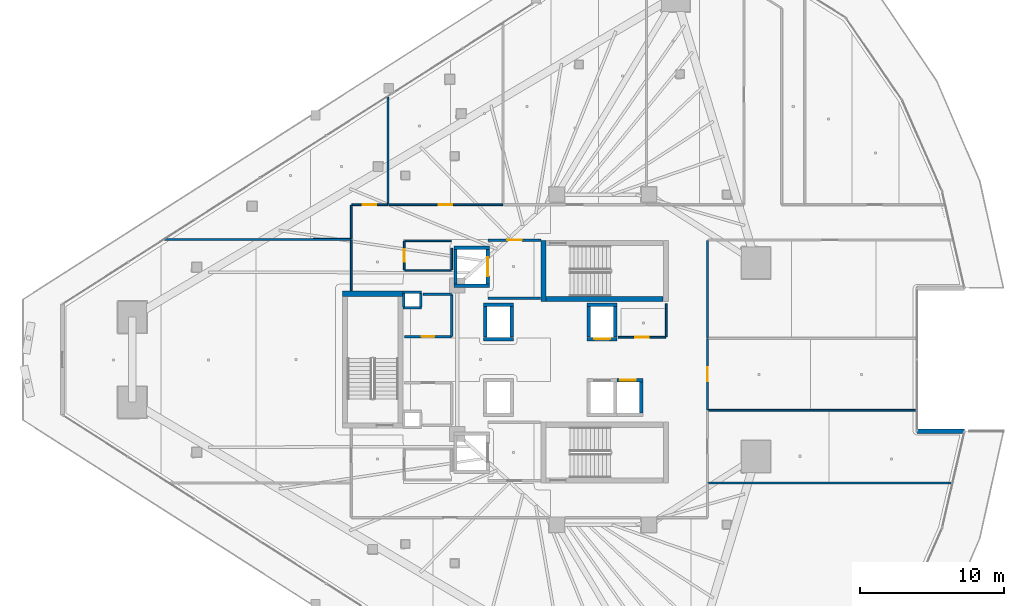
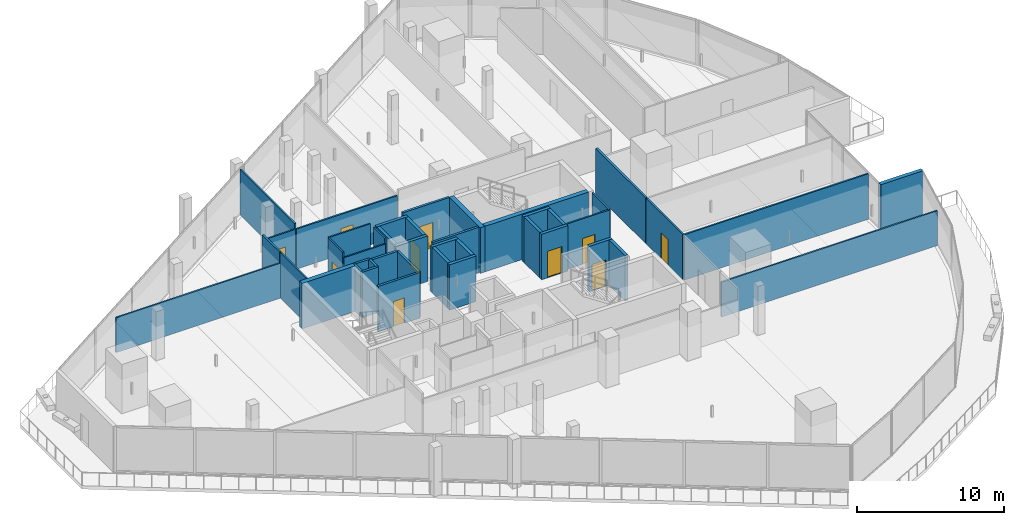
# One storey, part 28 of 42: 43 walls, 10 doors, 10 openings.
"""IFC4 building model written with IfcOpenShell, lengths in metres."""

from ifc_helpers import new_model, si_unit, direction, frame, frame_2d, origin, place, context, subcontext, project, spatial, rectangle, extrude, material, layer, layer_set, type_object, element, fill, save


model = new_model("IFC4")

# Units and contexts
model_context = context("Model", 3, precision=1e-05, world=origin(), true_north=direction((0.0, 1.0)))
body_context = subcontext(model_context, "Body", "Model", "MODEL_VIEW")
ifc_project = project(units=[si_unit("LENGTHUNIT", "METRE"), si_unit("AREAUNIT", "SQUARE_METRE"), si_unit("VOLUMEUNIT", "CUBIC_METRE"), si_unit("PLANEANGLEUNIT", "RADIAN"), si_unit("MASSUNIT", "GRAM", prefix="KILO")], contexts=[model_context])

# Site, building, storey
site_placement = place(None, origin())
site = spatial("IfcSite", under=ifc_project, at=site_placement, CompositionType="ELEMENT")
building_placement = place(site_placement, origin())
building = spatial("IfcBuilding", under=site, at=building_placement, Name="Qorvath Tower", CompositionType="ELEMENT")
storey_placement = place(building_placement, frame((0.0, 0.0, 121.949951171875)))
storey = spatial("IfcBuildingStorey", under=building, at=storey_placement, Name="L27", CompositionType="ELEMENT", Elevation=121.949951171875)

# Walls
ifc_material_1 = material(Name="Gypsum shaftliner on steel studs", Category="steel")
ifc_layer_1 = layer(ifc_material_1, 0.179931640625)
ifc_layer_set_1 = layer_set([ifc_layer_1], Name="FW-LOBBY")
wall_type_1 = type_object("IfcWallType", Name="FW-LOBBY", PredefinedType="PARTITIONING", material=ifc_layer_set_1)
for number, where, z_axis, x_axis, name in (
    (1, (-32.989990234375, 3.594970703125, 0.0), (0.0, 0.0, 1.0), (-1.0, 0.0, 0.0), "MEP Riser Shaft Enclosure Wall N-L27-S"),
    (2, (-34.260009765625, 4.675048828125, 0.0), (0.0, 0.0, 1.0), (1.0, 0.0, 0.0), "MEP Riser Shaft Enclosure Wall N-L27-N"),
):
    element("IfcWall", number, at=place(storey_placement, frame(where, z_axis=z_axis, x_axis=x_axis)), inside=storey, type_object=wall_type_1, Name=name, PredefinedType="PARTITIONING", context=body_context, shape_type="SweptSolid", body=[
        extrude(rectangle(XDim=1.27001953125, YDim=0.179931640625, at=frame_2d((0.635009765625, 0.0))), origin(), (0.0, 0.0, 1.0), 3.77001953125),
    ])
for number, where, z_axis, x_axis, name in (
    (3, (-34.205078125, 3.659912109375, 0.0), (0.0, 0.0, 1.0), (0.0, 1.0, 0.0), "MEP Riser Shaft Enclosure Wall N-L27-W"),
    (4, (-33.044921875, 4.610107421875, 0.0), (0.0, 0.0, 1.0), (0.0, -1.0, 0.0), "MEP Riser Shaft Enclosure Wall N-L27-E"),
):
    element("IfcWall", number, at=place(storey_placement, frame(where, z_axis=z_axis, x_axis=x_axis)), inside=storey, type_object=wall_type_1, Name=name, PredefinedType="PARTITIONING", context=body_context, shape_type="SweptSolid", body=[
        extrude(rectangle(XDim=0.9501953125, YDim=0.179931640625, at=frame_2d((0.47509765625, 0.0))), origin(), (0.0, 0.0, 1.0), 3.77001953125),
    ])
wall_1_placement = place(storey_placement, frame((-28.35498046875, 4.25, 0.0), z_axis=(0.0, 0.0, 1.0), x_axis=(1.0, 0.0, 0.0)))
element("IfcWall", 5, at=wall_1_placement, inside=storey, type_object=wall_type_1, Name="Interior Partition IW-T1-L27-001", PredefinedType="PARTITIONING", context=body_context, shape_type="SweptSolid", body=[
    extrude(rectangle(XDim=3.6220703125, YDim=0.179931640625, at=frame_2d((1.81103515625, 0.0))), origin(), (0.0, 0.0, 1.0), 3.77001953125),
])

# Wall, opening, door
wall_2_placement = place(storey_placement, frame((-24.68408203125, 8.300048828125, 0.0), z_axis=(0.0, 0.0, 1.0), x_axis=(-1.0, 0.0, 0.0)))
wall_2 = element("IfcWall", 6, at=wall_2_placement, inside=storey, type_object=wall_type_1, Name="Interior Partition IW-T1-L27-002", PredefinedType="PARTITIONING", context=body_context, shape_type="SweptSolid", body=[
    extrude(rectangle(XDim=3.6708984375, YDim=0.179931640625, at=frame_2d((1.83544921875, 0.0))), origin(), (0.0, 0.0, 1.0), 3.77001953125),
])
opening_1_placement = place(wall_2_placement, frame((1.33544921875, 0.0, 0.0)))
opening_1 = element("IfcOpeningElement", 7, at=opening_1_placement, cuts=wall_2, Name="Opening D-T1-L27-16", PredefinedType="OPENING", context=body_context, shape_type="SweptSolid", body=[
    extrude(rectangle(XDim=1.0, YDim=2.14990234375, at=frame_2d((0.5, 1.074951171875))), frame((0.0, 0.10009765625, 0.0), z_axis=(0.0, -1.0, 0.0), x_axis=(1.0, 0.0, 0.0)), (0.0, 0.0, 1.0), 0.199951171875),
])
ifc_material_2 = material(Name="Painted galvanised hollow metal", Category="steel")
door_type_1 = type_object("IfcDoorType", Name="FD-60", OperationType="NOTDEFINED", PredefinedType="DOOR", material=ifc_material_2)
door_1_placement = place(opening_1_placement, origin())
door_1 = element("IfcDoor", 8, at=door_1_placement, inside=storey, type_object=door_type_1, Name="Lobby Fire Service Elevator North Door D-T1-L27-16", OperationType="SINGLE_SWING_LEFT", OverallHeight=2.14990234375, OverallWidth=1.0, PredefinedType="DOOR", context=body_context, shape_type="SweptSolid", body=[
    extrude(rectangle(XDim=1.0, YDim=2.14990234375, at=frame_2d((0.5, 1.074951171875))), frame((0.0, 0.02490234375, 0.0), z_axis=(0.0, -1.0, 0.0), x_axis=(1.0, 0.0, 0.0)), (0.0, 0.0, 1.0), 0.050048828125),
])
fill(opening_1, door_1)

wall_3_placement = place(storey_placement, frame((-34.15478515625, 1.60009765625, 0.0), z_axis=(0.0, 0.0, 1.0), x_axis=(1.0, 0.0, 0.0)))
wall_3 = element("IfcWall", 9, at=wall_3_placement, inside=storey, type_object=wall_type_1, Name="Interior Partition IW-T1-L27-015", PredefinedType="PARTITIONING", context=body_context, shape_type="SweptSolid", body=[
    extrude(rectangle(XDim=3.25, YDim=0.179931640625, at=frame_2d((1.625, 0.0))), origin(), (0.0, 0.0, 1.0), 3.77001953125),
])
opening_2_placement = place(wall_3_placement, frame((1.18505859375, 0.0, 0.0)))
opening_2 = element("IfcOpeningElement", 10, at=opening_2_placement, cuts=wall_3, Name="Opening D-T1-L27-04", PredefinedType="OPENING", context=body_context, shape_type="SweptSolid", body=[
    extrude(rectangle(XDim=0.8798828125, YDim=2.10009765625, at=frame_2d((0.43994140625, 1.050048828125))), frame((0.0, 0.10009765625, 0.0), z_axis=(0.0, -1.0, 0.0), x_axis=(1.0, 0.0, 0.0)), (0.0, 0.0, 1.0), 0.199951171875),
])
ifc_material_3 = material(Name="Painted galvanised hollow metal", Category="steel")
door_type_2 = type_object("IfcDoorType", Name="FD-60N", OperationType="NOTDEFINED", PredefinedType="DOOR", material=ifc_material_3)
door_2_placement = place(opening_2_placement, origin())
door_2 = element("IfcDoor", 11, at=door_2_placement, inside=storey, type_object=door_type_2, Name="Core telecom and comms room L27 Door D-T1-L27-04", OperationType="SINGLE_SWING_LEFT", OverallHeight=2.10009765625, OverallWidth=0.8798828125, PredefinedType="DOOR", context=body_context, shape_type="SweptSolid", body=[
    extrude(rectangle(XDim=0.8798828125, YDim=2.10009765625, at=frame_2d((0.43994140625, 1.050048828125))), frame((0.0, 0.02490234375, 0.0), z_axis=(0.0, -1.0, 0.0), x_axis=(1.0, 0.0, 0.0)), (0.0, 0.0, 1.0), 0.050048828125),
])
fill(opening_2, door_2)

# Walls
wall_4_placement = place(storey_placement, frame((-30.8798828125, 1.625, 0.0), z_axis=(0.0, 0.0, 1.0), x_axis=(0.0, 1.0, 0.0)))
element("IfcWall", 12, at=wall_4_placement, inside=storey, type_object=wall_type_1, Name="Interior Partition IW-T1-L27-016", PredefinedType="PARTITIONING", context=body_context, shape_type="SweptSolid", body=[
    extrude(rectangle(XDim=2.889892578125, YDim=0.179931640625, at=frame_2d((1.44482421875, 0.0))), origin(), (0.0, 0.0, 1.0), 3.77001953125),
])
wall_5_placement = place(storey_placement, frame((-30.90478515625, 4.5400390625, 0.0), z_axis=(0.0, 0.0, 1.0), x_axis=(-1.0, 0.0, 0.0)))
element("IfcWall", 13, at=wall_5_placement, inside=storey, type_object=wall_type_1, Name="Interior Partition IW-T1-L27-017", PredefinedType="PARTITIONING", context=body_context, shape_type="SweptSolid", body=[
    extrude(rectangle(XDim=1.97509765625, YDim=0.179931640625, at=frame_2d((0.987548828125, 0.0))), origin(), (0.0, 0.0, 1.0), 3.77001953125),
])
ifc_material_4 = material(Name="Double acoustic gypsum board on steel studs", Category="steel")
ifc_layer_2 = layer(ifc_material_4, 0.159912109375)
ifc_layer_set_2 = layer_set([ifc_layer_2], Name="IW-ACOUSTIC-160")
wall_type_2 = type_object("IfcWallType", Name="IW-ACOUSTIC-160", PredefinedType="PARTITIONING", material=ifc_layer_set_2)
wall_6_placement = place(storey_placement, frame((-13.14208984375, 8.287109375, 0.0), z_axis=(0.0, 0.0, 1.0), x_axis=(0.0, -1.0, 0.0)))
element("IfcWall", 14, at=wall_6_placement, inside=storey, type_object=wall_type_2, Name="Interior Partition IW-T1-L27-048", PredefinedType="PARTITIONING", context=body_context, shape_type="SweptSolid", body=[
    extrude(rectangle(XDim=6.776611328125, YDim=0.159912109375, at=frame_2d((3.38818359375, 0.0))), origin(), (0.0, 0.0, 1.0), 3.77001953125),
])

# Wall, opening, door
ifc_material_5 = material(Name="Gypsum board on metal studs with mineral wool", Category="gypsum")
ifc_layer_3 = layer(ifc_material_5, 0.125)
ifc_layer_set_3 = layer_set([ifc_layer_3], Name="IW-PART-125")
wall_type_3 = type_object("IfcWallType", Name="IW-PART-125", PredefinedType="PARTITIONING", material=ifc_layer_set_3)
wall_7_placement = place(storey_placement, frame((-19.333740234375, 1.56005859375, 0.0), z_axis=(0.0, 0.0, 1.0), x_axis=(1.0, 0.0, 0.0)))
wall_7 = element("IfcWall", 15, at=wall_7_placement, inside=storey, type_object=wall_type_3, Name="Interior Partition IW-T1-L27-013", PredefinedType="PARTITIONING", context=body_context, shape_type="SweptSolid", body=[
    extrude(rectangle(XDim=3.308837890625, YDim=0.125, at=frame_2d((1.654296875, 0.0))), origin(), (0.0, 0.0, 1.0), 3.77001953125),
])
opening_3_placement = place(wall_7_placement, frame((1.179443359375, 0.0, 0.0)))
opening_3 = element("IfcOpeningElement", 16, at=opening_3_placement, cuts=wall_7, Name="Opening D-T1-L27-03", PredefinedType="OPENING", context=body_context, shape_type="SweptSolid", body=[
    extrude(rectangle(XDim=0.949951171875, YDim=2.14990234375, at=frame_2d((0.47509765625, 1.074951171875))), frame((0.0, 0.072509765625, 0.0), z_axis=(0.0, -1.0, 0.0), x_axis=(1.0, 0.0, 0.0)), (0.0, 0.0, 1.0), 0.14501953125),
])
ifc_material_6 = material(Name="Solid-core American white oak veneer", Category="wood")
door_type_3 = type_object("IfcDoorType", Name="D-01", OperationType="NOTDEFINED", PredefinedType="DOOR", material=ifc_material_6)
door_3_placement = place(opening_3_placement, origin())
door_3 = element("IfcDoor", 17, at=door_3_placement, inside=storey, type_object=door_type_3, Name="L27-RCN North Staff Refreshment Pantry Door D-T1-L27-03", OperationType="SINGLE_SWING_RIGHT", OverallHeight=2.14990234375, OverallWidth=0.949951171875, PredefinedType="DOOR", context=body_context, shape_type="SweptSolid", body=[
    extrude(rectangle(XDim=0.949951171875, YDim=2.14990234375, at=frame_2d((0.47509765625, 1.074951171875))), frame((0.0, 0.02490234375, 0.0), z_axis=(0.0, -1.0, 0.0), x_axis=(1.0, 0.0, 0.0)), (0.0, 0.0, 1.0), 0.050048828125),
])
fill(opening_3, door_3)

# Walls
wall_8_placement = place(storey_placement, frame((-16.0, 1.585205078125, 0.0), z_axis=(0.0, 0.0, 1.0), x_axis=(0.0, 1.0, 0.0)))
element("IfcWall", 18, at=wall_8_placement, inside=storey, type_object=wall_type_3, Name="Interior Partition IW-T1-L27-014", PredefinedType="PARTITIONING", context=body_context, shape_type="SweptSolid", body=[
    extrude(rectangle(XDim=2.30224609375, YDim=0.125, at=frame_2d((1.151123046875, 0.0))), origin(), (0.0, 0.0, 1.0), 3.77001953125),
])
wall_9_placement = place(storey_placement, frame((-37.85791015625, 8.375, 0.0), z_axis=(0.0, 0.0, 1.0), x_axis=(0.0, 1.0, 0.0)))
element("IfcWall", 19, at=wall_9_placement, inside=storey, type_object=wall_type_3, Name="Interior Partition IW-T1-L27-021", PredefinedType="PARTITIONING", context=body_context, shape_type="SweptSolid", body=[
    extrude(rectangle(XDim=2.358154296875, YDim=0.125, at=frame_2d((1.17919921875, 0.0))), origin(), (0.0, 0.0, 1.0), 3.77001953125),
])

# Wall, opening, door
wall_10_placement = place(storey_placement, frame((-37.8330078125, 10.758056640625, 0.0), z_axis=(0.0, 0.0, 1.0), x_axis=(1.0, 0.0, 0.0)))
wall_10 = element("IfcWall", 20, at=wall_10_placement, inside=storey, type_object=wall_type_3, Name="Interior Partition IW-T1-L27-022", PredefinedType="PARTITIONING", context=body_context, shape_type="SweptSolid", body=[
    extrude(rectangle(XDim=2.50927734375, YDim=0.125, at=frame_2d((1.254638671875, 0.0))), origin(), (0.0, 0.0, 1.0), 3.334228515625),
])
opening_4_placement = place(wall_10_placement, frame((0.779541015625, 0.0, 0.0)))
opening_4 = element("IfcOpeningElement", 21, at=opening_4_placement, cuts=wall_10, Name="Opening D-T1-L27-06", PredefinedType="OPENING", context=body_context, shape_type="SweptSolid", body=[
    extrude(rectangle(XDim=0.949951171875, YDim=2.14990234375, at=frame_2d((0.47509765625, 1.074951171875))), frame((0.0, 0.072509765625, 0.0), z_axis=(0.0, -1.0, 0.0), x_axis=(1.0, 0.0, 0.0)), (0.0, 0.0, 1.0), 0.14501953125),
])
door_4_placement = place(opening_4_placement, origin())
door_4 = element("IfcDoor", 22, at=door_4_placement, inside=storey, type_object=door_type_3, Name="L27-01 Focus Collaboration Pod Door D-T1-L27-06", OperationType="SINGLE_SWING_LEFT", OverallHeight=2.14990234375, OverallWidth=0.949951171875, PredefinedType="DOOR", context=body_context, shape_type="SweptSolid", body=[
    extrude(rectangle(XDim=0.949951171875, YDim=2.14990234375, at=frame_2d((0.47509765625, 1.074951171875))), frame((0.0, 0.02490234375, 0.0), z_axis=(0.0, -1.0, 0.0), x_axis=(1.0, 0.0, 0.0)), (0.0, 0.0, 1.0), 0.050048828125),
])
fill(opening_4, door_4)

# Walls
wall_11_placement = place(storey_placement, frame((-35.298828125, 10.783203125, 0.0), z_axis=(0.0, 0.0, 1.0), x_axis=(0.0, 1.0, 0.0)))
element("IfcWall", 23, at=wall_11_placement, inside=storey, type_object=wall_type_3, Name="Interior Partition IW-T1-L27-023", PredefinedType="PARTITIONING", context=body_context, shape_type="SweptSolid", body=[
    extrude(rectangle(XDim=7.423583984375, YDim=0.125, at=frame_2d((3.7119140625, 0.0))), origin(), (0.0, 0.0, 1.0), 3.77001953125),
])
wall_12_placement = place(storey_placement, frame((-50.791259765625, 8.334228515625, 0.0), z_axis=(0.0, 0.0, 1.0), x_axis=(0.999999244337, 0.001229359992, 0.0)))
element("IfcWall", 24, at=wall_12_placement, inside=storey, type_object=wall_type_3, Name="Interior Partition IW-T1-L27-024", PredefinedType="PARTITIONING", context=body_context, shape_type="SweptSolid", body=[
    extrude(rectangle(XDim=12.908447265625, YDim=0.125, at=frame_2d((6.4541015625, 0.0))), origin(), (0.0, 0.0, 1.0), 2.889892578125),
])

# Wall, opening, door
wall_13_placement = place(storey_placement, frame((-35.26611328125, 10.758056640625, 0.0), z_axis=(0.0, 0.0, 1.0), x_axis=(1.0, 0.0, 0.0)))
wall_13 = element("IfcWall", 25, at=wall_13_placement, inside=storey, type_object=wall_type_3, Name="Interior Partition IW-T1-L27-025", PredefinedType="PARTITIONING", context=body_context, shape_type="SweptSolid", body=[
    extrude(rectangle(XDim=7.918212890625, YDim=0.125, at=frame_2d((3.958984375, 0.0))), origin(), (0.0, 0.0, 1.0), 3.334228515625),
])
opening_5_placement = place(wall_13_placement, frame((3.484130859375, 0.0, 0.0)))
opening_5 = element("IfcOpeningElement", 26, at=opening_5_placement, cuts=wall_13, Name="Opening D-T1-L27-07", PredefinedType="OPENING", context=body_context, shape_type="SweptSolid", body=[
    extrude(rectangle(XDim=0.949951171875, YDim=2.14990234375, at=frame_2d((0.47509765625, 1.074951171875))), frame((0.0, 0.072509765625, 0.0), z_axis=(0.0, -1.0, 0.0), x_axis=(1.0, 0.0, 0.0)), (0.0, 0.0, 1.0), 0.14501953125),
])
door_5_placement = place(opening_5_placement, origin())
door_5 = element("IfcDoor", 27, at=door_5_placement, inside=storey, type_object=door_type_3, Name="L27-02 Staff Refreshment Pantry and Coffee Bar Door D-T1-L27-07", OperationType="SINGLE_SWING_RIGHT", OverallHeight=2.14990234375, OverallWidth=0.949951171875, PredefinedType="DOOR", context=body_context, shape_type="SweptSolid", body=[
    extrude(rectangle(XDim=0.949951171875, YDim=2.14990234375, at=frame_2d((0.47509765625, 1.074951171875))), frame((0.0, 0.02490234375, 0.0), z_axis=(0.0, -1.0, 0.0), x_axis=(1.0, 0.0, 0.0)), (0.0, 0.0, 1.0), 0.050048828125),
])
fill(opening_5, door_5)

# Walls
wall_14_placement = place(storey_placement, frame((3.790771484375, -8.550048828125, 0.0), z_axis=(0.0, 0.0, 1.0), x_axis=(-1.0, 0.0, 0.0)))
element("IfcWall", 28, at=wall_14_placement, inside=storey, type_object=wall_type_3, Name="Interior Partition IW-T1-L27-036", PredefinedType="PARTITIONING", context=body_context, shape_type="SweptSolid", body=[
    extrude(rectangle(XDim=16.907958984375, YDim=0.125, at=frame_2d((8.4541015625, 0.0))), origin(), (0.0, 0.0, 1.0), 2.885009765625),
])
wall_15_placement = place(storey_placement, frame((1.306884765625, -3.5107421875, 0.0), z_axis=(0.0, 0.0, 1.0), x_axis=(-1.0, 0.0, 0.0)))
element("IfcWall", 29, at=wall_15_placement, inside=storey, type_object=wall_type_3, Name="Interior Partition IW-T1-L27-043", PredefinedType="PARTITIONING", context=body_context, shape_type="SweptSolid", body=[
    extrude(rectangle(XDim=14.424072265625, YDim=0.125, at=frame_2d((7.2119140625, 0.0))), origin(), (0.0, 0.0, 1.0), 3.77001953125),
])

# Wall, opening, door
wall_16_placement = place(storey_placement, frame((-13.14208984375, 1.452880859375, 0.0), z_axis=(0.0, 0.0, 1.0), x_axis=(0.0, -1.0, 0.0)))
wall_16 = element("IfcWall", 30, at=wall_16_placement, inside=storey, type_object=wall_type_3, Name="Interior Partition IW-T1-L27-045", PredefinedType="PARTITIONING", context=body_context, shape_type="SweptSolid", body=[
    extrude(rectangle(XDim=4.9306640625, YDim=0.125, at=frame_2d((2.46533203125, 0.0))), origin(), (0.0, 0.0, 1.0), 3.77001953125),
])
opening_6_placement = place(wall_16_placement, frame((1.990234375, 0.0, 0.0)))
opening_6 = element("IfcOpeningElement", 31, at=opening_6_placement, cuts=wall_16, Name="Opening D-T1-L27-13", PredefinedType="OPENING", context=body_context, shape_type="SweptSolid", body=[
    extrude(rectangle(XDim=0.949951171875, YDim=2.14990234375, at=frame_2d((0.47509765625, 1.074951171875))), frame((0.0, 0.072509765625, 0.0), z_axis=(0.0, -1.0, 0.0), x_axis=(1.0, 0.0, 0.0)), (0.0, 0.0, 1.0), 0.14501953125),
])
door_6_placement = place(opening_6_placement, origin())
door_6 = element("IfcDoor", 32, at=door_6_placement, inside=storey, type_object=door_type_3, Name="L27-08 Breakout Reading Alcove Door D-T1-L27-13", OperationType="SINGLE_SWING_RIGHT", OverallHeight=2.14990234375, OverallWidth=0.949951171875, PredefinedType="DOOR", context=body_context, shape_type="SweptSolid", body=[
    extrude(rectangle(XDim=0.949951171875, YDim=2.14990234375, at=frame_2d((0.47509765625, 1.074951171875))), frame((0.0, 0.02490234375, 0.0), z_axis=(0.0, -1.0, 0.0), x_axis=(1.0, 0.0, 0.0)), (0.0, 0.0, 1.0), 0.050048828125),
])
fill(opening_6, door_6)

# Wall
wall_17_placement = place(storey_placement, frame((-37.85791015625, 4.783203125, 0.0), z_axis=(0.0, 0.0, 1.0), x_axis=(0.0, 1.0, 0.0)))
element("IfcWall", 33, at=wall_17_placement, inside=storey, type_object=wall_type_3, Name="Interior Partition IW-T1-L27-050", PredefinedType="PARTITIONING", context=body_context, shape_type="SweptSolid", body=[
    extrude(rectangle(XDim=3.53369140625, YDim=0.125, at=frame_2d((1.766845703125, 0.0))), origin(), (0.0, 0.0, 1.0), 3.77001953125),
])

# Wall, opening, door
ifc_material_7 = material(Name="Moisture-resistant cement board on metal studs", Category="gypsum")
ifc_layer_4 = layer(ifc_material_7, 0.110107421875)
ifc_layer_set_4 = layer_set([ifc_layer_4], Name="IW-WC-110")
wall_type_4 = type_object("IfcWallType", Name="IW-WC-110", PredefinedType="PARTITIONING", material=ifc_layer_set_4)
wall_18_placement = place(storey_placement, frame((-34.179931640625, 8.22509765625, 0.0), z_axis=(0.0, 0.0, 1.0), x_axis=(0.0, -1.0, 0.0)))
wall_18 = element("IfcWall", 34, at=wall_18_placement, inside=storey, type_object=wall_type_4, Name="Interior Partition IW-T1-L27-005", PredefinedType="PARTITIONING", context=body_context, shape_type="SweptSolid", body=[
    extrude(rectangle(XDim=2.0, YDim=0.110107421875, at=frame_2d((1.0, 0.0))), origin(), (0.0, 0.0, 1.0), 3.77001953125),
])
opening_7_placement = place(wall_18_placement, frame((0.56005859375, 0.0, 0.0)))
opening_7 = element("IfcOpeningElement", 35, at=opening_7_placement, cuts=wall_18, Name="Opening D-T1-L27-01", PredefinedType="OPENING", context=body_context, shape_type="SweptSolid", body=[
    extrude(rectangle(XDim=0.8798828125, YDim=2.10009765625, at=frame_2d((0.43994140625, 1.050048828125))), frame((0.0, 0.06494140625, 0.0), z_axis=(0.0, -1.0, 0.0), x_axis=(1.0, 0.0, 0.0)), (0.0, 0.0, 1.0), 0.130126953125),
])
ifc_material_8 = material(Name="Solid-core oak with acoustic drop seal", Category="wood")
door_type_4 = type_object("IfcDoorType", Name="D-02", OperationType="NOTDEFINED", PredefinedType="DOOR", material=ifc_material_8)
door_7_placement = place(opening_7_placement, origin())
door_7 = element("IfcDoor", 36, at=door_7_placement, inside=storey, type_object=door_type_4, Name="WC All-Gender North L27 Door D-T1-L27-01", OperationType="SINGLE_SWING_RIGHT", OverallHeight=2.10009765625, OverallWidth=0.8798828125, PredefinedType="DOOR", context=body_context, shape_type="SweptSolid", body=[
    extrude(rectangle(XDim=0.8798828125, YDim=2.10009765625, at=frame_2d((0.43994140625, 1.050048828125))), frame((0.0, 0.02490234375, 0.0), z_axis=(0.0, -1.0, 0.0), x_axis=(1.0, 0.0, 0.0)), (0.0, 0.0, 1.0), 0.050048828125),
])
fill(opening_7, door_7)

# Walls
wall_19_placement = place(storey_placement, frame((-34.15478515625, 6.199951171875, 0.0), z_axis=(0.0, 0.0, 1.0), x_axis=(1.0, 0.0, 0.0)))
element("IfcWall", 37, at=wall_19_placement, inside=storey, type_object=wall_type_4, Name="Interior Partition IW-T1-L27-006", PredefinedType="PARTITIONING", context=body_context, shape_type="SweptSolid", body=[
    extrude(rectangle(XDim=3.25, YDim=0.110107421875, at=frame_2d((1.625, 0.0))), origin(), (0.0, 0.0, 1.0), 3.334228515625),
])
wall_20_placement = place(storey_placement, frame((-30.8798828125, 6.22509765625, 0.0), z_axis=(0.0, 0.0, 1.0), x_axis=(0.0, 1.0, 0.0)))
element("IfcWall", 38, at=wall_20_placement, inside=storey, type_object=wall_type_4, Name="Interior Partition IW-T1-L27-007", PredefinedType="PARTITIONING", context=body_context, shape_type="SweptSolid", body=[
    extrude(rectangle(XDim=1.517822265625, YDim=0.110107421875, at=frame_2d((0.7587890625, 0.0))), origin(), (0.0, 0.0, 1.0), 3.77001953125),
])
wall_21_placement = place(storey_placement, frame((-30.90478515625, 8.25, 0.0), z_axis=(0.0, 0.0, 1.0), x_axis=(-1.0, 0.0, 0.0)))
element("IfcWall", 39, at=wall_21_placement, inside=storey, type_object=wall_type_4, Name="Interior Partition IW-T1-L27-008", PredefinedType="PARTITIONING", context=body_context, shape_type="SweptSolid", body=[
    extrude(rectangle(XDim=3.25, YDim=0.110107421875, at=frame_2d((1.625, 0.0))), origin(), (0.0, 0.0, 1.0), 3.77001953125),
])
ifc_material_9 = material(Name="Concrete C60/75", Category="concrete")
ifc_layer_5 = layer(ifc_material_9, 0.260009765625)
ifc_layer_set_5 = layer_set([ifc_layer_5], Name="SW-SHAFT")
wall_type_5 = type_object("IfcWallType", Name="SW-SHAFT", PredefinedType="SHEAR", material=ifc_layer_set_5)
for number, where, z_axis, x_axis, name in (
    (40, (-28.260009765625, 5.1298828125, 0.0), (0.0, 0.0, 1.0), (-1.0, 0.0, 0.0), "Hoistway Wall FSAE-1 L27 S"),
    (41, (-30.739990234375, 7.77001953125, 0.0), (0.0, 0.0, 1.0), (1.0, 0.0, 0.0), "Hoistway Wall FSAE-1 L27 N"),
):
    element("IfcWall", number, at=place(storey_placement, frame(where, z_axis=z_axis, x_axis=x_axis)), inside=storey, type_object=wall_type_5, Name=name, PredefinedType="SHEAR", context=body_context, shape_type="SweptSolid", body=[
        extrude(rectangle(XDim=2.47998046875, YDim=0.239990234375, at=frame_2d((1.239990234375, 0.0))), origin(), (0.0, 0.0, 1.0), 3.77001953125),
    ])
wall_22_placement = place(storey_placement, frame((-30.6201171875, 5.261962890625, 0.0), z_axis=(0.0, 0.0, 1.0), x_axis=(0.0, 1.0, 0.0)))
element("IfcWall", 42, at=wall_22_placement, inside=storey, type_object=wall_type_5, Name="Hoistway Wall FSAE-1 L27 W", PredefinedType="SHEAR", context=body_context, shape_type="SweptSolid", body=[
    extrude(rectangle(XDim=2.3759765625, YDim=0.239990234375, at=frame_2d((1.18798828125, 0.0))), origin(), (0.0, 0.0, 1.0), 3.77001953125),
])

# Wall, opening, door
wall_23_placement = place(storey_placement, frame((-28.3798828125, 7.637939453125, 0.0), z_axis=(0.0, 0.0, 1.0), x_axis=(0.0, -1.0, 0.0)))
wall_23 = element("IfcWall", 43, at=wall_23_placement, inside=storey, type_object=wall_type_5, Name="Hoistway Wall FSAE-1 L27 E", PredefinedType="SHEAR", context=body_context, shape_type="SweptSolid", body=[
    extrude(rectangle(XDim=2.3759765625, YDim=0.239990234375, at=frame_2d((1.18798828125, 0.0))), origin(), (0.0, 0.0, 1.0), 3.77001953125),
])
opening_8_placement = place(wall_23_placement, frame((0.537841796875, 0.0, 0.0)))
opening_8 = element("IfcOpeningElement", 44, at=opening_8_placement, cuts=wall_23, Name="Opening LD-FSAE-1-L27", PredefinedType="OPENING", context=body_context, shape_type="SweptSolid", body=[
    extrude(rectangle(XDim=1.300048828125, YDim=2.300048828125, at=frame_2d((0.64990234375, 1.14990234375))), frame((0.0, 0.1298828125, 0.0), z_axis=(0.0, -1.0, 0.0), x_axis=(1.0, 0.0, 0.0)), (0.0, 0.0, 1.0), 0.260009765625),
])
ifc_material_10 = material(Name="Brushed stainless steel AISI 316", Category="steel")
door_type_5 = type_object("IfcDoorType", Name="LD-02", OperationType="NOTDEFINED", PredefinedType="DOOR", material=ifc_material_10)
door_8_placement = place(opening_8_placement, origin())
door_8 = element("IfcDoor", 45, at=door_8_placement, inside=storey, type_object=door_type_5, Name="Elevator Landing Sliding Door LD-FSAE-1-L27", OperationType="DOUBLE_DOOR_SLIDING", OverallHeight=2.300048828125, OverallWidth=1.300048828125, PredefinedType="DOOR", context=body_context, shape_type="SweptSolid", body=[
    extrude(rectangle(XDim=1.300048828125, YDim=2.300048828125, at=frame_2d((0.64990234375, 1.14990234375))), frame((0.0, 0.02490234375, 0.0), z_axis=(0.0, -1.0, 0.0), x_axis=(1.0, 0.0, 0.0)), (0.0, 0.0, 1.0), 0.050048828125),
])
fill(opening_8, door_8)

# Walls
for number, where, z_axis, x_axis, name in (
    (46, (-26.610107421875, 1.429931640625, 0.0), (0.0, 0.0, 1.0), (-1.0, 0.0, 0.0), "Hoistway Wall PS-1 L27 S"),
    (47, (-28.68994140625, 3.820068359375, 0.0), (0.0, 0.0, 1.0), (1.0, 0.0, 0.0), "Hoistway Wall PS-1 L27 N"),
):
    element("IfcWall", number, at=place(storey_placement, frame(where, z_axis=z_axis, x_axis=x_axis)), inside=storey, type_object=wall_type_5, Name=name, PredefinedType="SHEAR", context=body_context, shape_type="SweptSolid", body=[
        extrude(rectangle(XDim=2.079833984375, YDim=0.239990234375, at=frame_2d((1.0400390625, 0.0))), origin(), (0.0, 0.0, 1.0), 3.77001953125),
    ])
for number, where, z_axis, x_axis, name in (
    (48, (-28.570068359375, 1.56201171875, 0.0), (0.0, 0.0, 1.0), (0.0, 1.0, 0.0), "Hoistway Wall PS-1 L27 W"),
    (49, (-26.72998046875, 3.68798828125, 0.0), (0.0, 0.0, 1.0), (0.0, -1.0, 0.0), "Hoistway Wall PS-1 L27 E"),
):
    element("IfcWall", number, at=place(storey_placement, frame(where, z_axis=z_axis, x_axis=x_axis)), inside=storey, type_object=wall_type_5, Name=name, PredefinedType="SHEAR", context=body_context, shape_type="SweptSolid", body=[
        extrude(rectangle(XDim=2.1259765625, YDim=0.239990234375, at=frame_2d((1.06298828125, 0.0))), origin(), (0.0, 0.0, 1.0), 3.77001953125),
    ])

# Wall, opening, door
wall_24_placement = place(storey_placement, frame((-19.409912109375, 1.429931640625, 0.0), z_axis=(0.0, 0.0, 1.0), x_axis=(-1.0, 0.0, 0.0)))
wall_24 = element("IfcWall", 50, at=wall_24_placement, inside=storey, type_object=wall_type_5, Name="Hoistway Wall PM-1 L27 S", PredefinedType="SHEAR", context=body_context, shape_type="SweptSolid", body=[
    extrude(rectangle(XDim=2.080078125, YDim=0.239990234375, at=frame_2d((1.0400390625, 0.0))), origin(), (0.0, 0.0, 1.0), 3.77001953125),
])
opening_9_placement = place(wall_24_placement, frame((0.489990234375, 0.0, 0.0)))
opening_9 = element("IfcOpeningElement", 51, at=opening_9_placement, cuts=wall_24, Name="Opening LD-PM-1-L27", PredefinedType="OPENING", context=body_context, shape_type="SweptSolid", body=[
    extrude(rectangle(XDim=1.10009765625, YDim=2.199951171875, at=frame_2d((0.550048828125, 1.10009765625))), frame((0.0, 0.1298828125, 0.0), z_axis=(0.0, -1.0, 0.0), x_axis=(1.0, 0.0, 0.0)), (0.0, 0.0, 1.0), 0.260009765625),
])
ifc_material_11 = material(Name="Brushed stainless steel AISI 316", Category="steel")
door_type_6 = type_object("IfcDoorType", Name="LD-01", OperationType="NOTDEFINED", PredefinedType="DOOR", material=ifc_material_11)
door_9_placement = place(opening_9_placement, origin())
door_9 = element("IfcDoor", 52, at=door_9_placement, inside=storey, type_object=door_type_6, Name="Elevator Landing Sliding Door LD-PM-1-L27", OperationType="DOUBLE_DOOR_SLIDING", OverallHeight=2.199951171875, OverallWidth=1.10009765625, PredefinedType="DOOR", context=body_context, shape_type="SweptSolid", body=[
    extrude(rectangle(XDim=1.10009765625, YDim=2.199951171875, at=frame_2d((0.550048828125, 1.10009765625))), frame((0.0, 0.02490234375, 0.0), z_axis=(0.0, -1.0, 0.0), x_axis=(1.0, 0.0, 0.0)), (0.0, 0.0, 1.0), 0.050048828125),
])
fill(opening_9, door_9)

# Walls
wall_25_placement = place(storey_placement, frame((-21.489990234375, 3.820068359375, 0.0), z_axis=(0.0, 0.0, 1.0), x_axis=(1.0, 0.0, 0.0)))
element("IfcWall", 53, at=wall_25_placement, inside=storey, type_object=wall_type_5, Name="Hoistway Wall PM-1 L27 N", PredefinedType="SHEAR", context=body_context, shape_type="SweptSolid", body=[
    extrude(rectangle(XDim=2.080078125, YDim=0.239990234375, at=frame_2d((1.0400390625, 0.0))), origin(), (0.0, 0.0, 1.0), 3.77001953125),
])
for number, where, z_axis, x_axis, name in (
    (54, (-21.3701171875, 1.56201171875, 0.0), (0.0, 0.0, 1.0), (0.0, 1.0, 0.0), "Hoistway Wall PM-1 L27 W"),
    (55, (-19.530029296875, 3.68798828125, 0.0), (0.0, 0.0, 1.0), (0.0, -1.0, 0.0), "Hoistway Wall PM-1 L27 E"),
):
    element("IfcWall", number, at=place(storey_placement, frame(where, z_axis=z_axis, x_axis=x_axis)), inside=storey, type_object=wall_type_5, Name=name, PredefinedType="SHEAR", context=body_context, shape_type="SweptSolid", body=[
        extrude(rectangle(XDim=2.1259765625, YDim=0.239990234375, at=frame_2d((1.06298828125, 0.0))), origin(), (0.0, 0.0, 1.0), 3.77001953125),
    ])

# Wall, opening, door
wall_26_placement = place(storey_placement, frame((-19.409912109375, -1.429931640625, 0.0), z_axis=(0.0, 0.0, 1.0), x_axis=(1.0, 0.0, 0.0)))
wall_26 = element("IfcWall", 56, at=wall_26_placement, inside=storey, type_object=wall_type_5, Name="Hoistway Wall PM-3 L27 N", PredefinedType="SHEAR", context=body_context, shape_type="SweptSolid", body=[
    extrude(rectangle(XDim=1.7998046875, YDim=0.239990234375, at=frame_2d((0.89990234375, 0.0))), origin(), (0.0, 0.0, 1.0), 3.77001953125),
])
opening_10_placement = place(wall_26_placement, frame((0.2099609375, 0.0, 0.0)))
opening_10 = element("IfcOpeningElement", 57, at=opening_10_placement, cuts=wall_26, Name="Opening LD-PM-3-L27", PredefinedType="OPENING", context=body_context, shape_type="SweptSolid", body=[
    extrude(rectangle(XDim=1.10009765625, YDim=2.199951171875, at=frame_2d((0.550048828125, 1.10009765625))), frame((0.0, 0.1298828125, 0.0), z_axis=(0.0, -1.0, 0.0), x_axis=(1.0, 0.0, 0.0)), (0.0, 0.0, 1.0), 0.260009765625),
])
door_10_placement = place(opening_10_placement, origin())
door_10 = element("IfcDoor", 58, at=door_10_placement, inside=storey, type_object=door_type_6, Name="Elevator Landing Sliding Door LD-PM-3-L27", OperationType="DOUBLE_DOOR_SLIDING", OverallHeight=2.199951171875, OverallWidth=1.10009765625, PredefinedType="DOOR", context=body_context, shape_type="SweptSolid", body=[
    extrude(rectangle(XDim=1.10009765625, YDim=2.199951171875, at=frame_2d((0.550048828125, 1.10009765625))), frame((0.0, 0.02490234375, 0.0), z_axis=(0.0, -1.0, 0.0), x_axis=(1.0, 0.0, 0.0)), (0.0, 0.0, 1.0), 0.050048828125),
])
fill(opening_10, door_10)

# Walls
wall_27_placement = place(storey_placement, frame((-17.72998046875, -1.56201171875, 0.0), z_axis=(0.0, 0.0, 1.0), x_axis=(0.0, -1.0, 0.0)))
element("IfcWall", 59, at=wall_27_placement, inside=storey, type_object=wall_type_5, Name="Hoistway Wall PM-3 L27 E", PredefinedType="SHEAR", context=body_context, shape_type="SweptSolid", body=[
    extrude(rectangle(XDim=2.1259765625, YDim=0.239990234375, at=frame_2d((1.06298828125, 0.0))), origin(), (0.0, 0.0, 1.0), 3.77001953125),
])
ifc_material_12 = material(Name="Concrete C60/75", Category="concrete")
ifc_layer_6 = layer(ifc_material_12, 0.35009765625)
ifc_layer_set_6 = layer_set([ifc_layer_6], Name="SW-STAIR")
wall_type_6 = type_object("IfcWallType", Name="SW-STAIR", PredefinedType="SHEAR", material=ifc_layer_set_6)
wall_28_placement = place(storey_placement, frame((-24.52490234375, 8.260009765625, 0.0), z_axis=(0.0, 0.0, 1.0), x_axis=(0.0, -1.0, 0.0)))
element("IfcWall", 60, at=wall_28_placement, inside=storey, type_object=wall_type_6, Name="Stair TS1 Shear Wall L27 NEAR", PredefinedType="SHEAR", context=body_context, shape_type="SweptSolid", body=[
    extrude(rectangle(XDim=4.2099609375, YDim=0.35009765625, at=frame_2d((2.10498046875, 0.0))), origin(), (0.0, 0.0, 1.0), 3.77001953125),
])
wall_29_placement = place(storey_placement, frame((-24.3349609375, 4.22509765625, 0.0), z_axis=(0.0, 0.0, 1.0), x_axis=(1.0, 0.0, 0.0)))
element("IfcWall", 61, at=wall_29_placement, inside=storey, type_object=wall_type_6, Name="Stair TS1 Shear Wall L27 LEFT", PredefinedType="SHEAR", context=body_context, shape_type="SweptSolid", body=[
    extrude(rectangle(XDim=8.119873046875, YDim=0.35009765625, at=frame_2d((4.06005859375, 0.0))), origin(), (0.0, 0.0, 1.0), 3.77001953125),
])
wall_30_placement = place(storey_placement, frame((-34.25, 4.574951171875, 0.0), z_axis=(0.0, 0.0, 1.0), x_axis=(-1.0, 0.0, 0.0)))
element("IfcWall", 62, at=wall_30_placement, inside=storey, type_object=wall_type_6, Name="Stair TS3 Shear Wall L27 FAR", PredefinedType="SHEAR", context=body_context, shape_type="SweptSolid", body=[
    extrude(rectangle(XDim=4.2099609375, YDim=0.35009765625, at=frame_2d((2.10498046875, 0.0))), origin(), (0.0, 0.0, 1.0), 3.77001953125),
])
ifc_material_13 = material(Name="Precast concrete C45/55", Category="concrete")
ifc_layer_7 = layer(ifc_material_13, 0.300048828125)
ifc_layer_set_7 = layer_set([ifc_layer_7], Name="WL-EW-LOG-300")
wall_type_7 = type_object("IfcWallType", Name="WL-EW-LOG-300", PredefinedType="SOLIDWALL", material=ifc_layer_set_7)
wall_31_placement = place(storey_placement, frame((4.698974609375, -4.968017578125, 0.0), z_axis=(0.0, 0.0, 1.0), x_axis=(-1.0, 0.0, 0.0)))
element("IfcWall", 63, at=wall_31_placement, inside=storey, type_object=wall_type_7, Name="Tower Precast Loggia Wall L27-8.1", PredefinedType="SOLIDWALL", context=body_context, shape_type="SweptSolid", body=[
    extrude(rectangle(XDim=3.31201171875, YDim=0.300048828125, at=frame_2d((1.656005859375, 0.0))), origin(), (0.0, 0.0, 1.0), 3.77001953125),
])

save(model, "model.ifc")
